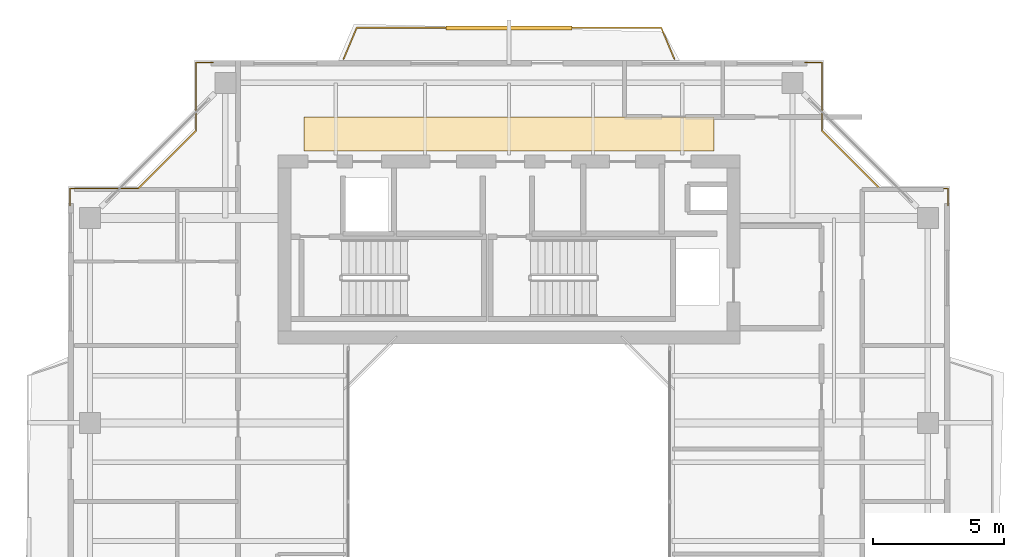
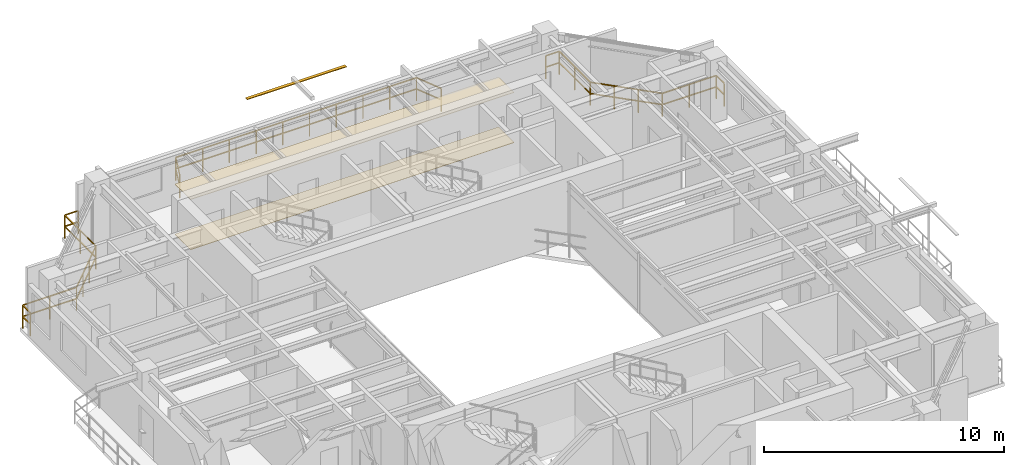
# One storey, part 16 of 16: 3 railings, 2 coverings, 1 shading device.
"""IFC4 building model written with IfcOpenShell, lengths in metres."""

from ifc_helpers import new_model, si_unit, direction, frame, origin, origin_2d, place, context, subcontext, project, spatial, polyline, rectangle, outline, extrude, source, transform, mapped, material, layer, layer_set, material_profile, profile_set, type_object, element, save


model = new_model("IFC4")

# Units and contexts
model_context = context("Model", 3, precision=1e-05, world=origin(), true_north=direction((0.0, 1.0)))
body_context = subcontext(model_context, "Body", "Model", "MODEL_VIEW")
ifc_project = project(units=[si_unit("LENGTHUNIT", "METRE"), si_unit("AREAUNIT", "SQUARE_METRE"), si_unit("VOLUMEUNIT", "CUBIC_METRE"), si_unit("PLANEANGLEUNIT", "RADIAN"), si_unit("MASSUNIT", "GRAM", prefix="KILO"), si_unit("THERMODYNAMICTEMPERATUREUNIT", "KELVIN"), si_unit("POWERUNIT", "WATT")], contexts=[model_context])

# Site, building, storey
site_placement = place(None, origin())
site = spatial("IfcSite", under=ifc_project, at=site_placement, CompositionType="ELEMENT")
building_placement = place(site_placement, origin())
building = spatial("IfcBuilding", under=site, at=building_placement, Name="Qiaomeng Ring Towers", CompositionType="ELEMENT")
storey_placement = place(building_placement, frame((0.0, 0.0, 216.5)))
storey = spatial("IfcBuildingStorey", under=building, at=storey_placement, Name="L63", CompositionType="ELEMENT", Elevation=216.5)

# Coverings
ifc_material_1 = material(Name="Moisture-resistant gypsum ceiling board", Category="gypsum")
ifc_layer_1 = layer(ifc_material_1, 0.030029296875, Name="Moisture-resistant gypsum ceiling board")
ifc_layer_set_1 = layer_set([ifc_layer_1], Name="Moisture-resistant gypsum ceiling board")
covering_type_1 = type_object("IfcCoveringType", Name="ARC-COV-CEIL2", PredefinedType="CEILING", material=ifc_layer_set_1)
covering_1_placement = place(storey_placement, frame((0.0, 0.0, 2.550048828125)))
element("IfcCovering", 1, at=covering_1_placement, inside=storey, type_object=covering_type_1, Name="L63 Corridor Acoustic Ceiling", PredefinedType="CEILING", context=body_context, shape_type="SweptSolid", body=[
    extrude(outline(polyline([(11.199951171875, 36.35009765625), (11.199951171875, 37.64990234375), (26.800048828125, 37.64990234375), (26.800048828125, 36.35009765625), (11.199951171875, 36.35009765625)])), origin(), (0.0, 0.0, 1.0), 0.02490234375),
])
ifc_material_2 = material(Name="Vitrified porcelain floor tile", Category="ceramic")
ifc_layer_2 = layer(ifc_material_2, 0.02001953125, Name="Vitrified porcelain floor tile")
ifc_layer_set_2 = layer_set([ifc_layer_2], Name="Vitrified porcelain floor tile")
covering_type_2 = type_object("IfcCoveringType", Name="ARC-COV-FLR1", PredefinedType="FLOORING", material=ifc_layer_set_2)
covering_2_placement = place(storey_placement, origin())
element("IfcCovering", 2, at=covering_2_placement, inside=storey, type_object=covering_type_2, Name="L63 Corridor Stone Flooring", PredefinedType="FLOORING", context=body_context, shape_type="SweptSolid", body=[
    extrude(outline(polyline([(11.199951171875, 36.35009765625), (11.199951171875, 37.64990234375), (26.800048828125, 37.64990234375), (26.800048828125, 36.35009765625), (11.199951171875, 36.35009765625)])), origin(), (0.0, 0.0, 1.0), 0.02001953125),
])

# Railings
ifc_material_3 = material(Name="Low-E pale-green laminated safety glass", Category="glass")
railing_type = type_object("IfcRailingType", Name="ARC-RL-BAL1", PredefinedType="BALUSTRADE", material=ifc_material_3)
railing_1_placement = place(storey_placement, frame((35.719970703125, 34.27001953125, 0.0)))
element("IfcRailing", 3, at=railing_1_placement, inside=storey, type_object=railing_type, Name="L63 Balustrade ARC-BAL-NOTCH1-L63-NE", PredefinedType="BALUSTRADE", context=body_context, shape_type="SweptSolid", body=[
    extrude(rectangle(XDim=0.048095703125, YDim=0.048095703125, at=origin_2d()), frame((0.0, 0.0, 1.17578125), z_axis=(0.0, 1.0, 0.0), x_axis=(-1.0, 0.0, 0.0)), (0.0, 0.0, 1.0), 0.64990234375),
    extrude(rectangle(XDim=0.048095703125, YDim=0.048095703125, at=origin_2d()), frame((0.0, 0.0, 0.60009765625), z_axis=(0.0, 1.0, 0.0), x_axis=(-1.0, 0.0, 0.0)), (0.0, 0.0, 1.0), 0.64990234375),
    extrude(rectangle(XDim=0.048095703125, YDim=0.048095703125, at=origin_2d()), frame((0.0, 0.64990234375, 1.17578125), z_axis=(-1.0, 0.0, 0.0), x_axis=(0.0, -1.0, 0.0)), (0.0, 0.0, 1.0), 2.599853515625),
    extrude(rectangle(XDim=0.048095703125, YDim=0.048095703125, at=origin_2d()), frame((0.0, 0.64990234375, 0.60009765625), z_axis=(-1.0, 0.0, 0.0), x_axis=(0.0, -1.0, 0.0)), (0.0, 0.0, 1.0), 2.599853515625),
    extrude(rectangle(XDim=0.048095703125, YDim=0.048095703125, at=origin_2d()), frame((-2.599853515625, 0.64990234375, 1.17578125), z_axis=(-0.707106781187, 0.707106781187, 0.0), x_axis=(-0.707106781187, -0.707106781187, 0.0)), (0.0, 0.0, 1.0), 3.111572265625),
    extrude(rectangle(XDim=0.048095703125, YDim=0.048095703125, at=origin_2d()), frame((-2.599853515625, 0.64990234375, 0.60009765625), z_axis=(-0.707106781187, 0.707106781187, 0.0), x_axis=(-0.707106781187, -0.707106781187, 0.0)), (0.0, 0.0, 1.0), 3.111572265625),
    extrude(rectangle(XDim=0.048095703125, YDim=0.048095703125, at=origin_2d()), frame((-4.800048828125, 2.85009765625, 1.17578125), z_axis=(0.0, 1.0, 0.0), x_axis=(-1.0, 0.0, 0.0)), (0.0, 0.0, 1.0), 2.599853515625),
    extrude(rectangle(XDim=0.048095703125, YDim=0.048095703125, at=origin_2d()), frame((-4.800048828125, 2.85009765625, 0.60009765625), z_axis=(0.0, 1.0, 0.0), x_axis=(-1.0, 0.0, 0.0)), (0.0, 0.0, 1.0), 2.599853515625),
    extrude(rectangle(XDim=0.048095703125, YDim=0.048095703125, at=origin_2d()), frame((-4.800048828125, 5.449951171875, 1.17578125), z_axis=(-1.0, 0.0, 0.0), x_axis=(0.0, -1.0, 0.0)), (0.0, 0.0, 1.0), 0.64990234375),
    extrude(rectangle(XDim=0.048095703125, YDim=0.048095703125, at=origin_2d()), frame((-4.800048828125, 5.449951171875, 0.60009765625), z_axis=(-1.0, 0.0, 0.0), x_axis=(0.0, -1.0, 0.0)), (0.0, 0.0, 1.0), 0.64990234375),
    extrude(rectangle(XDim=0.0419921875, YDim=0.0419921875, at=origin_2d()), origin(), (0.0, 0.0, 1.0), 1.15185546875),
    extrude(rectangle(XDim=0.0419921875, YDim=0.0419921875, at=origin_2d()), frame((0.0, 0.64990234375, 0.0)), (0.0, 0.0, 1.0), 1.15185546875),
    extrude(rectangle(XDim=0.0419921875, YDim=0.0419921875, at=origin_2d()), frame((-1.2998046875, 0.64990234375, 0.0)), (0.0, 0.0, 1.0), 1.15185546875),
    extrude(rectangle(XDim=0.0419921875, YDim=0.0419921875, at=origin_2d()), frame((-2.599853515625, 0.64990234375, 0.0)), (0.0, 0.0, 1.0), 1.15185546875),
    extrude(rectangle(XDim=0.0419921875, YDim=0.0419921875, at=origin_2d()), frame((-3.333251953125, 1.38330078125, 0.0)), (0.0, 0.0, 1.0), 1.15185546875),
    extrude(rectangle(XDim=0.0419921875, YDim=0.0419921875, at=origin_2d()), frame((-4.066650390625, 2.11669921875, 0.0)), (0.0, 0.0, 1.0), 1.15185546875),
    extrude(rectangle(XDim=0.0419921875, YDim=0.0419921875, at=origin_2d()), frame((-4.800048828125, 2.85009765625, 0.0)), (0.0, 0.0, 1.0), 1.15185546875),
    extrude(rectangle(XDim=0.0419921875, YDim=0.0419921875, at=origin_2d()), frame((-4.800048828125, 4.14990234375, 0.0)), (0.0, 0.0, 1.0), 1.15185546875),
    extrude(rectangle(XDim=0.0419921875, YDim=0.0419921875, at=origin_2d()), frame((-4.800048828125, 5.449951171875, 0.0)), (0.0, 0.0, 1.0), 1.15185546875),
    extrude(rectangle(XDim=0.0419921875, YDim=0.0419921875, at=origin_2d()), frame((-5.449951171875, 5.449951171875, 0.0)), (0.0, 0.0, 1.0), 1.15185546875),
])
railing_2_placement = place(storey_placement, frame((7.72998046875, 39.719970703125, 0.0)))
element("IfcRailing", 4, at=railing_2_placement, inside=storey, type_object=railing_type, Name="L63 Balustrade ARC-BAL-NOTCH1-L63-NW", PredefinedType="BALUSTRADE", context=body_context, shape_type="SweptSolid", body=[
    extrude(rectangle(XDim=0.048095703125, YDim=0.048095703125, at=origin_2d()), frame((0.0, 0.0, 1.17578125), z_axis=(-1.0, 0.0, 0.0), x_axis=(0.0, -1.0, 0.0)), (0.0, 0.0, 1.0), 0.64990234375),
    extrude(rectangle(XDim=0.048095703125, YDim=0.048095703125, at=origin_2d()), frame((0.0, 0.0, 0.60009765625), z_axis=(-1.0, 0.0, 0.0), x_axis=(0.0, -1.0, 0.0)), (0.0, 0.0, 1.0), 0.64990234375),
    extrude(rectangle(XDim=0.048095703125, YDim=0.048095703125, at=origin_2d()), frame((-0.64990234375, 0.0, 1.17578125), z_axis=(0.0, -1.0, 0.0), x_axis=(1.0, 0.0, 0.0)), (0.0, 0.0, 1.0), 2.599853515625),
    extrude(rectangle(XDim=0.048095703125, YDim=0.048095703125, at=origin_2d()), frame((-0.64990234375, 0.0, 0.60009765625), z_axis=(0.0, -1.0, 0.0), x_axis=(1.0, 0.0, 0.0)), (0.0, 0.0, 1.0), 2.599853515625),
    extrude(rectangle(XDim=0.048095703125, YDim=0.048095703125, at=origin_2d()), frame((-0.64990234375, -2.599853515625, 1.17578125), z_axis=(-0.707106781187, -0.707106781187, 0.0), x_axis=(0.707106781187, -0.707106781187, 0.0)), (0.0, 0.0, 1.0), 3.111572265625),
    extrude(rectangle(XDim=0.048095703125, YDim=0.048095703125, at=origin_2d()), frame((-0.64990234375, -2.599853515625, 0.60009765625), z_axis=(-0.707106781187, -0.707106781187, 0.0), x_axis=(0.707106781187, -0.707106781187, 0.0)), (0.0, 0.0, 1.0), 3.111572265625),
    extrude(rectangle(XDim=0.048095703125, YDim=0.048095703125, at=origin_2d()), frame((-2.85009765625, -4.800048828125, 1.17578125), z_axis=(-1.0, 0.0, 0.0), x_axis=(0.0, -1.0, 0.0)), (0.0, 0.0, 1.0), 2.599853515625),
    extrude(rectangle(XDim=0.048095703125, YDim=0.048095703125, at=origin_2d()), frame((-2.85009765625, -4.800048828125, 0.60009765625), z_axis=(-1.0, 0.0, 0.0), x_axis=(0.0, -1.0, 0.0)), (0.0, 0.0, 1.0), 2.599853515625),
    extrude(rectangle(XDim=0.048095703125, YDim=0.048095703125, at=origin_2d()), frame((-5.449951171875, -4.800048828125, 1.17578125), z_axis=(0.0, -1.0, 0.0), x_axis=(1.0, 0.0, 0.0)), (0.0, 0.0, 1.0), 0.64990234375),
    extrude(rectangle(XDim=0.048095703125, YDim=0.048095703125, at=origin_2d()), frame((-5.449951171875, -4.800048828125, 0.60009765625), z_axis=(0.0, -1.0, 0.0), x_axis=(1.0, 0.0, 0.0)), (0.0, 0.0, 1.0), 0.64990234375),
    extrude(rectangle(XDim=0.0419921875, YDim=0.0419921875, at=origin_2d()), origin(), (0.0, 0.0, 1.0), 1.15185546875),
    extrude(rectangle(XDim=0.0419921875, YDim=0.0419921875, at=origin_2d()), frame((-0.64990234375, 0.0, 0.0)), (0.0, 0.0, 1.0), 1.15185546875),
    extrude(rectangle(XDim=0.0419921875, YDim=0.0419921875, at=origin_2d()), frame((-0.64990234375, -1.2998046875, 0.0)), (0.0, 0.0, 1.0), 1.15185546875),
    extrude(rectangle(XDim=0.0419921875, YDim=0.0419921875, at=origin_2d()), frame((-0.64990234375, -2.599853515625, 0.0)), (0.0, 0.0, 1.0), 1.15185546875),
    extrude(rectangle(XDim=0.0419921875, YDim=0.0419921875, at=origin_2d()), frame((-1.38330078125, -3.333251953125, 0.0)), (0.0, 0.0, 1.0), 1.15185546875),
    extrude(rectangle(XDim=0.0419921875, YDim=0.0419921875, at=origin_2d()), frame((-2.11669921875, -4.066650390625, 0.0)), (0.0, 0.0, 1.0), 1.15185546875),
    extrude(rectangle(XDim=0.0419921875, YDim=0.0419921875, at=origin_2d()), frame((-2.85009765625, -4.800048828125, 0.0)), (0.0, 0.0, 1.0), 1.15185546875),
    extrude(rectangle(XDim=0.0419921875, YDim=0.0419921875, at=origin_2d()), frame((-4.14990234375, -4.800048828125, 0.0)), (0.0, 0.0, 1.0), 1.15185546875),
    extrude(rectangle(XDim=0.0419921875, YDim=0.0419921875, at=origin_2d()), frame((-5.449951171875, -4.800048828125, 0.0)), (0.0, 0.0, 1.0), 1.15185546875),
    extrude(rectangle(XDim=0.0419921875, YDim=0.0419921875, at=origin_2d()), frame((-5.449951171875, -5.449951171875, 0.0)), (0.0, 0.0, 1.0), 1.15185546875),
])
railing_3_placement = place(storey_placement, frame((12.699951171875, 39.85009765625, 0.0)))
element("IfcRailing", 5, at=railing_3_placement, inside=storey, type_object=railing_type, Name="L63 Balustrade ARC-BAL-L63-T1-N", PredefinedType="BALUSTRADE", context=body_context, shape_type="SweptSolid", body=[
    extrude(rectangle(XDim=0.048095703125, YDim=0.048095703125, at=origin_2d()), frame((0.0, 0.0, 1.17578125), z_axis=(0.387380404006, 0.921919965394, 0.0), x_axis=(-0.921919965394, 0.387380404006, 0.0)), (0.0, 0.0, 1.0), 1.290771484375),
    extrude(rectangle(XDim=0.048095703125, YDim=0.048095703125, at=origin_2d()), frame((0.0, 0.0, 0.60009765625), z_axis=(0.387380404006, 0.921919965394, 0.0), x_axis=(-0.921919965394, 0.387380404006, 0.0)), (0.0, 0.0, 1.0), 1.290771484375),
    extrude(rectangle(XDim=0.048095703125, YDim=0.048095703125, at=origin_2d()), frame((0.5, 1.18994140625, 1.17578125), z_axis=(1.0, 0.0, 0.0), x_axis=(0.0, 1.0, 0.0)), (0.0, 0.0, 1.0), 11.60009765625),
    extrude(rectangle(XDim=0.048095703125, YDim=0.048095703125, at=origin_2d()), frame((0.5, 1.18994140625, 0.60009765625), z_axis=(1.0, 0.0, 0.0), x_axis=(0.0, 1.0, 0.0)), (0.0, 0.0, 1.0), 11.60009765625),
    extrude(rectangle(XDim=0.048095703125, YDim=0.048095703125, at=origin_2d()), frame((12.10009765625, 1.18994140625, 1.17578125), z_axis=(0.387380404006, -0.921919965394, 0.0), x_axis=(0.921919965394, 0.387380404006, 0.0)), (0.0, 0.0, 1.0), 1.290771484375),
    extrude(rectangle(XDim=0.048095703125, YDim=0.048095703125, at=origin_2d()), frame((12.10009765625, 1.18994140625, 0.60009765625), z_axis=(0.387380404006, -0.921919965394, 0.0), x_axis=(0.921919965394, 0.387380404006, 0.0)), (0.0, 0.0, 1.0), 1.290771484375),
    extrude(rectangle(XDim=0.0419921875, YDim=0.0419921875, at=origin_2d()), origin(), (0.0, 0.0, 1.0), 1.15185546875),
    extrude(rectangle(XDim=0.0419921875, YDim=0.0419921875, at=origin_2d()), frame((0.5, 1.18994140625, 0.0)), (0.0, 0.0, 1.0), 1.15185546875),
    extrude(rectangle(XDim=0.0419921875, YDim=0.0419921875, at=origin_2d()), frame((1.788818359375, 1.18994140625, 0.0)), (0.0, 0.0, 1.0), 1.15185546875),
    extrude(rectangle(XDim=0.0419921875, YDim=0.0419921875, at=origin_2d()), frame((3.077880859375, 1.18994140625, 0.0)), (0.0, 0.0, 1.0), 1.15185546875),
    extrude(rectangle(XDim=0.0419921875, YDim=0.0419921875, at=origin_2d()), frame((4.36669921875, 1.18994140625, 0.0)), (0.0, 0.0, 1.0), 1.15185546875),
    extrude(rectangle(XDim=0.0419921875, YDim=0.0419921875, at=origin_2d()), frame((5.655517578125, 1.18994140625, 0.0)), (0.0, 0.0, 1.0), 1.15185546875),
    extrude(rectangle(XDim=0.0419921875, YDim=0.0419921875, at=origin_2d()), frame((6.944580078125, 1.18994140625, 0.0)), (0.0, 0.0, 1.0), 1.15185546875),
    extrude(rectangle(XDim=0.0419921875, YDim=0.0419921875, at=origin_2d()), frame((8.2333984375, 1.18994140625, 0.0)), (0.0, 0.0, 1.0), 1.15185546875),
    extrude(rectangle(XDim=0.0419921875, YDim=0.0419921875, at=origin_2d()), frame((9.522216796875, 1.18994140625, 0.0)), (0.0, 0.0, 1.0), 1.15185546875),
    extrude(rectangle(XDim=0.0419921875, YDim=0.0419921875, at=origin_2d()), frame((10.811279296875, 1.18994140625, 0.0)), (0.0, 0.0, 1.0), 1.15185546875),
    extrude(rectangle(XDim=0.0419921875, YDim=0.0419921875, at=origin_2d()), frame((12.10009765625, 1.18994140625, 0.0)), (0.0, 0.0, 1.0), 1.15185546875),
    extrude(rectangle(XDim=0.0419921875, YDim=0.0419921875, at=origin_2d()), frame((12.60009765625, 0.0, 0.0)), (0.0, 0.0, 1.0), 1.15185546875),
])

# Shading device
ifc_material_4 = material(Name="Fluorocarbon dark-grey aluminium", Category="aluminium")
ifc_material_profile = material_profile(ifc_material_4, rectangle(XDim=0.14990234375, YDim=0.034912109375, at=origin_2d()), Name="LV BLADE 150x35")
ifc_profile_set = profile_set([ifc_material_profile], Name="Fluorocarbon dark-grey aluminium")
shading_device_type = type_object("IfcShadingDeviceType", Name="ARC-SHD-SUN", PredefinedType="AWNING", material=ifc_profile_set)
shared_shape = source(origin(), body_context, "Body", "SweptSolid", [
    extrude(rectangle(XDim=0.14990234375, YDim=0.034912109375, at=origin_2d()), origin(), (0.0, 0.0, 1.0), 4.7998046875),
])
shading_device_placement = place(storey_placement, frame((16.60009765625, 41.0400390625, 2.969970703125), z_axis=(1.0, 0.0, 0.0), x_axis=(0.0, 1.0, 0.0)))
element("IfcShadingDevice", 6, at=shading_device_placement, inside=storey, type_object=shading_device_type, Name="L63 Ventilated Outer-Skin Sunshade N", PredefinedType="AWNING", context=body_context, shape_type="MappedRepresentation", body=[
    mapped(shared_shape, transform((0.0, 0.0, 0.0), x_axis=(1.0, 0.0, 0.0), y_axis=(0.0, 1.0, 0.0), z_axis=(0.0, 0.0, 1.0), scale=1.0)),
])

save(model, "model.ifc")
